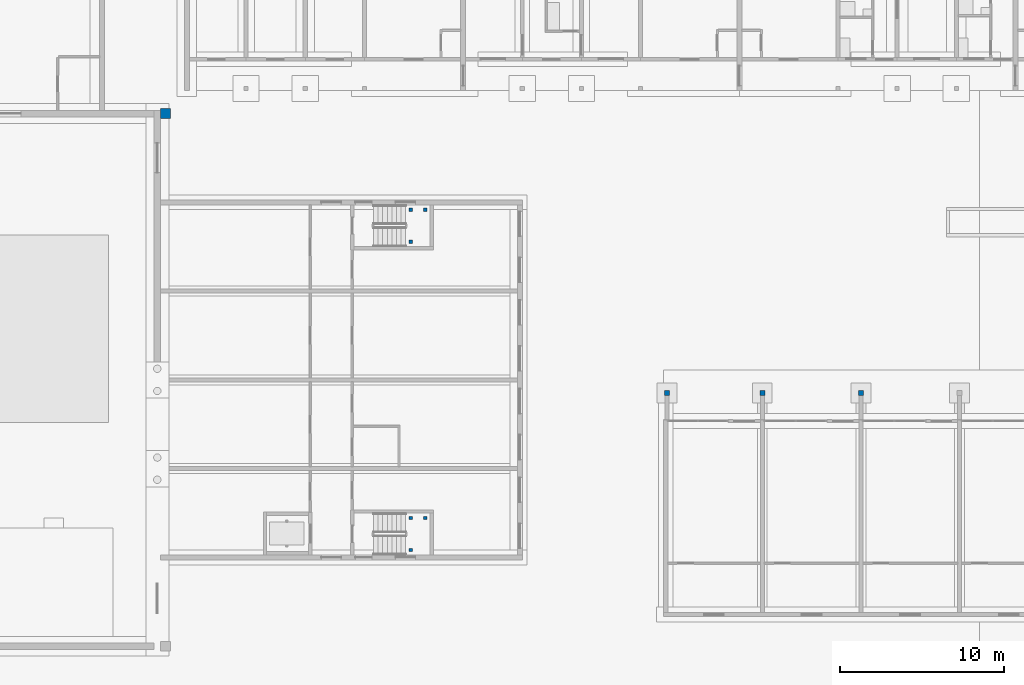
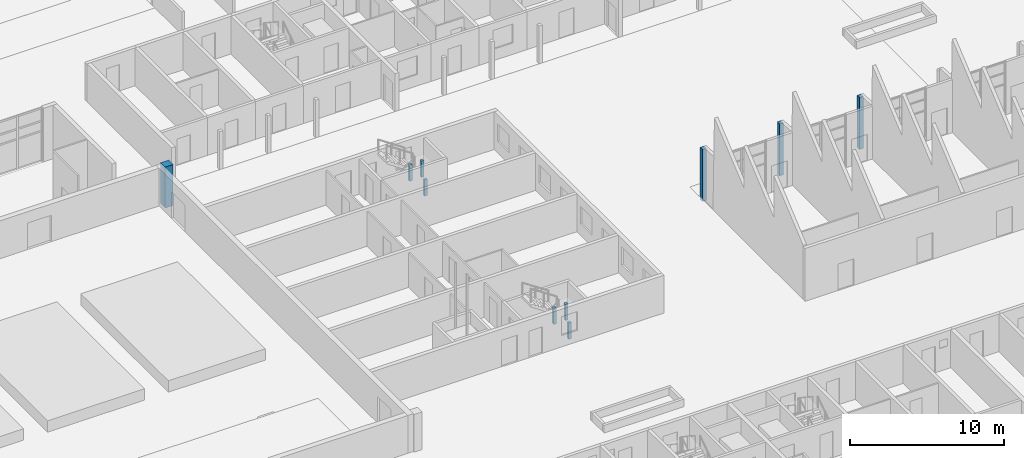
# One storey, part 13 of 112: 10 columns.
"""IFC4 building model written with IfcOpenShell, lengths in metres."""

from ifc_helpers import new_model, si_unit, direction, frame, origin, origin_2d, place, context, subcontext, project, spatial, rectangle, extrude, material, material_profile, profile_set, type_object, element, save


model = new_model("IFC4")

# Units and contexts
model_context = context("Model", 3, precision=1e-05, world=origin(), true_north=direction((0.0, 1.0)))
body_context = subcontext(model_context, "Body", "Model", "MODEL_VIEW")
ifc_project = project(units=[si_unit("LENGTHUNIT", "METRE"), si_unit("AREAUNIT", "SQUARE_METRE"), si_unit("VOLUMEUNIT", "CUBIC_METRE"), si_unit("PLANEANGLEUNIT", "RADIAN"), si_unit("MASSUNIT", "GRAM", prefix="KILO")], contexts=[model_context])

# Site, building, storey
site_placement = place(None, origin())
site = spatial("IfcSite", under=ifc_project, at=site_placement, CompositionType="ELEMENT")
building_placement = place(site_placement, origin())
building = spatial("IfcBuilding", under=site, at=building_placement, Name="Ridgestep Commons", CompositionType="ELEMENT")
storey_placement = place(building_placement, origin())
storey = spatial("IfcBuildingStorey", under=building, at=storey_placement, Name="L00", CompositionType="ELEMENT", Elevation=0.0)

# Columns
ifc_material_1 = material(Name="Precast concrete C40/50", Category="concrete")
ifc_material_profile_1 = material_profile(ifc_material_1, rectangle(XDim=0.300048828125, YDim=0.300048828125, at=origin_2d()), Name="Arcade column 300 x 300")
ifc_profile_set_1 = profile_set([ifc_material_profile_1], Name="Precast concrete C40/50")
column_type_1 = type_object("IfcColumnType", Name="Arcade column 300 x 300", PredefinedType="COLUMN", material=ifc_profile_set_1)
for number, where, z_axis, x_axis, name in (
    (1, (176.0, 47.60009765625, -0.25), (0.0, 0.0, 1.0), (1.0, 0.0, 0.0), "Arcade column"),
    (2, (181.800048828125, 47.60009765625, -0.25), (0.0, 0.0, 1.0), (1.0, 0.0, 0.0), "Arcade column"),
    (3, (187.800048828125, 47.60009765625, -0.25), (0.0, 0.0, 1.0), (1.0, 0.0, 0.0), "Arcade column"),
):
    element("IfcColumn", number, at=place(storey_placement, frame(where, z_axis=z_axis, x_axis=x_axis)), inside=storey, type_object=column_type_1, Name=name, PredefinedType="COLUMN", context=body_context, shape_type="SweptSolid", body=[
        extrude(rectangle(XDim=0.300048828125, YDim=0.300048828125, at=origin_2d()), origin(), (0.0, 0.0, 1.0), 4.12939453125),
    ])
ifc_material_2 = material(Name="Precast concrete C40/50", Category="concrete")
ifc_material_profile_2 = material_profile(ifc_material_2, rectangle(XDim=0.60009765625, YDim=0.60009765625, at=origin_2d()), Name="Buttress pier 600 x 600")
ifc_profile_set_2 = profile_set([ifc_material_profile_2], Name="Precast concrete C40/50")
column_type_2 = type_object("IfcColumnType", Name="Buttress pier 600 x 600", PredefinedType="COLUMN", material=ifc_profile_set_2)
column_placement = place(storey_placement, frame((145.5, 64.60009765625, -0.25), z_axis=(0.0, 0.0, 1.0), x_axis=(1.0, 0.0, 0.0)))
element("IfcColumn", 4, at=column_placement, inside=storey, type_object=column_type_2, Name="Hall vault buttress pier", PredefinedType="COLUMN", context=body_context, shape_type="SweptSolid", body=[
    extrude(rectangle(XDim=0.60009765625, YDim=0.60009765625, at=origin_2d()), origin(), (0.0, 0.0, 1.0), 3.25),
])
ifc_material_3 = material(Name="Precast concrete C40/50", Category="concrete")
ifc_material_profile_3 = material_profile(ifc_material_3, rectangle(XDim=0.199951171875, YDim=0.199951171875, at=origin_2d()), Name="Community landing post 200")
ifc_profile_set_3 = profile_set([ifc_material_profile_3], Name="Precast concrete C40/50")
column_type_3 = type_object("IfcColumnType", Name="Community landing post 200", PredefinedType="COLUMN", material=ifc_profile_set_3)
for number, where, z_axis, x_axis, name in (
    (5, (160.409912109375, 38.050048828125, 0.0), (0.0, 0.0, 1.0), (1.0, 0.0, 0.0), "Landing post"),
    (6, (160.409912109375, 40.0, 0.0), (0.0, 0.0, 1.0), (1.0, 0.0, 0.0), "Landing post"),
    (7, (161.2900390625, 40.0, 0.0), (0.0, 0.0, 1.0), (1.0, 0.0, 0.0), "Landing post"),
    (8, (160.409912109375, 56.800048828125, 0.0), (0.0, 0.0, 1.0), (1.0, 0.0, 0.0), "Landing post"),
    (9, (160.409912109375, 58.75, 0.0), (0.0, 0.0, 1.0), (1.0, 0.0, 0.0), "Landing post"),
    (10, (161.2900390625, 58.75, 0.0), (0.0, 0.0, 1.0), (1.0, 0.0, 0.0), "Landing post"),
):
    element("IfcColumn", number, at=place(storey_placement, frame(where, z_axis=z_axis, x_axis=x_axis)), inside=storey, type_object=column_type_3, Name=name, PredefinedType="COLUMN", context=body_context, shape_type="SweptSolid", body=[
        extrude(rectangle(XDim=0.199951171875, YDim=0.199951171875, at=origin_2d()), origin(), (0.0, 0.0, 1.0), 1.300048828125),
    ])

save(model, "model.ifc")
